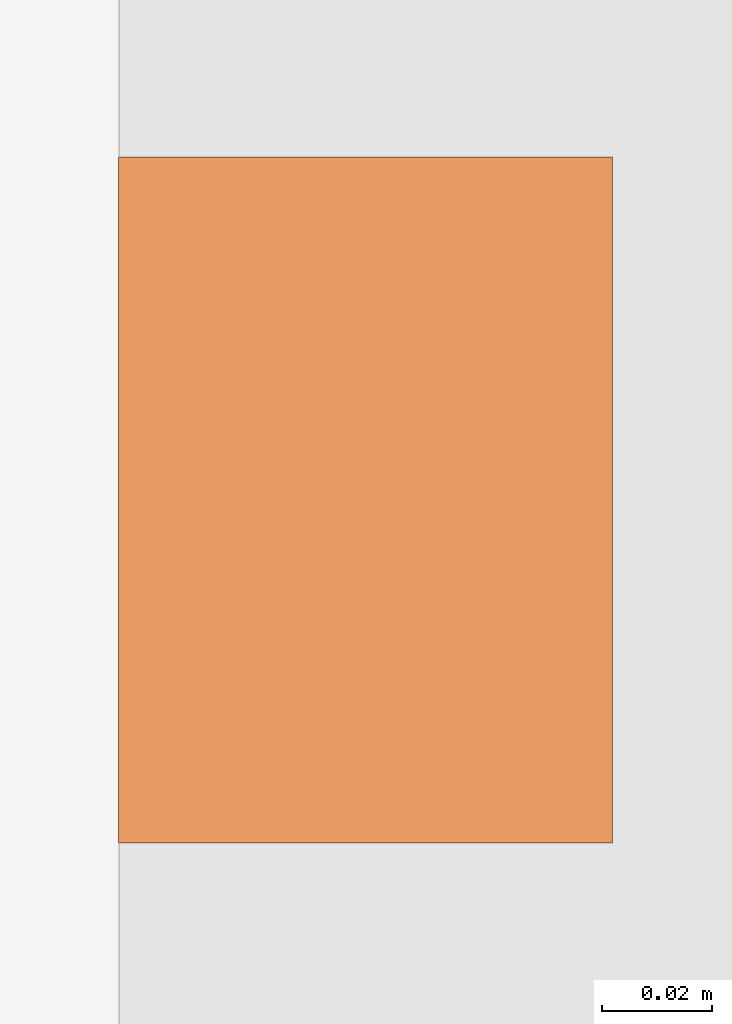
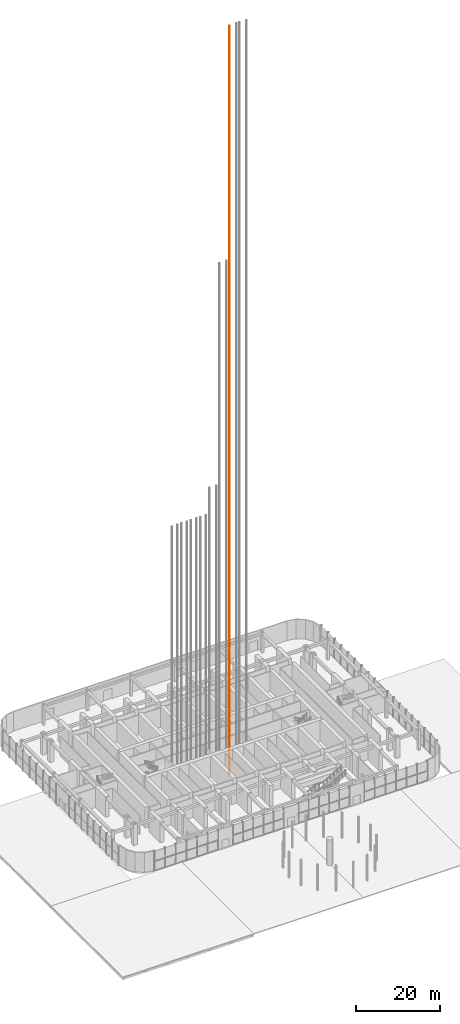
# One storey, part 54 of 57: 1 proxy.
"""IFC4 building model written with IfcOpenShell, lengths in metres."""

from ifc_helpers import new_model, si_unit, direction, frame, origin, origin_2d, place, context, subcontext, project, spatial, rectangle, extrude, material, element, save


model = new_model("IFC4")

# Units and contexts
model_context = context("Model", 3, precision=1e-05, world=origin(), true_north=direction((0.0, 1.0)))
body_context = subcontext(model_context, "Body", "Model", "MODEL_VIEW")
ifc_project = project(units=[si_unit("LENGTHUNIT", "METRE"), si_unit("AREAUNIT", "SQUARE_METRE"), si_unit("VOLUMEUNIT", "CUBIC_METRE"), si_unit("PLANEANGLEUNIT", "RADIAN"), si_unit("MASSUNIT", "GRAM", prefix="KILO")], contexts=[model_context])

# Site, building, storey
site_placement = place(None, origin())
site = spatial("IfcSite", under=ifc_project, at=site_placement, CompositionType="ELEMENT")
building_placement = place(site_placement, origin())
building = spatial("IfcBuilding", under=site, at=building_placement, Name="Orbita Commons", CompositionType="ELEMENT")
storey_placement = place(building_placement, origin())
storey = spatial("IfcBuildingStorey", under=building, at=storey_placement, Name="L00", CompositionType="ELEMENT", Elevation=0.0)

# Proxy
ifc_material = material(Name="Machined steel guide rail", Category="steel")
placement = place(storey_placement, frame((43.27490234375, 28.10009765625, 0.0), z_axis=(0.0, 0.0, 1.0), x_axis=(1.0, 0.0, 0.0)))
proxy_placement = place(placement, frame((-0.955078125, 0.0, -3.199951171875)))
element("IfcBuildingElementProxy", 1, at=proxy_placement, inside=storey, material=ifc_material, Name="SH31 guide rail 1", ObjectType="GUIDE RAIL", PredefinedType="USERDEFINED", context=body_context, shape_type="SweptSolid", body=[
    extrude(rectangle(XDim=0.09, YDim=0.125, at=origin_2d()), origin(), (0.0, 0.0, 1.0), 217.0),
])

save(model, "model.ifc")
